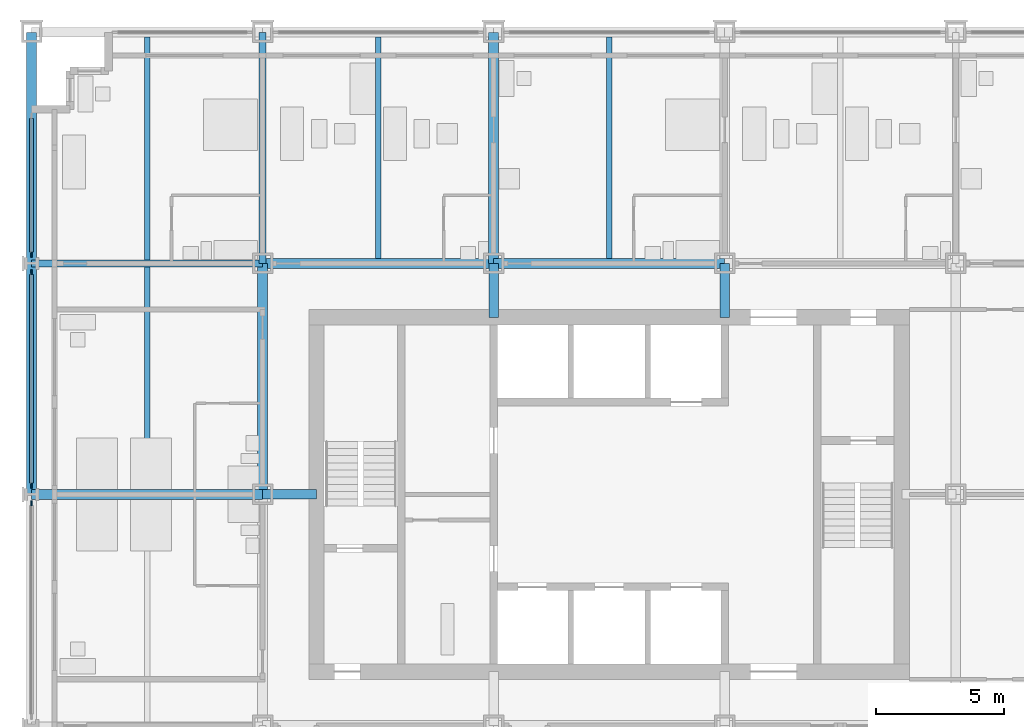
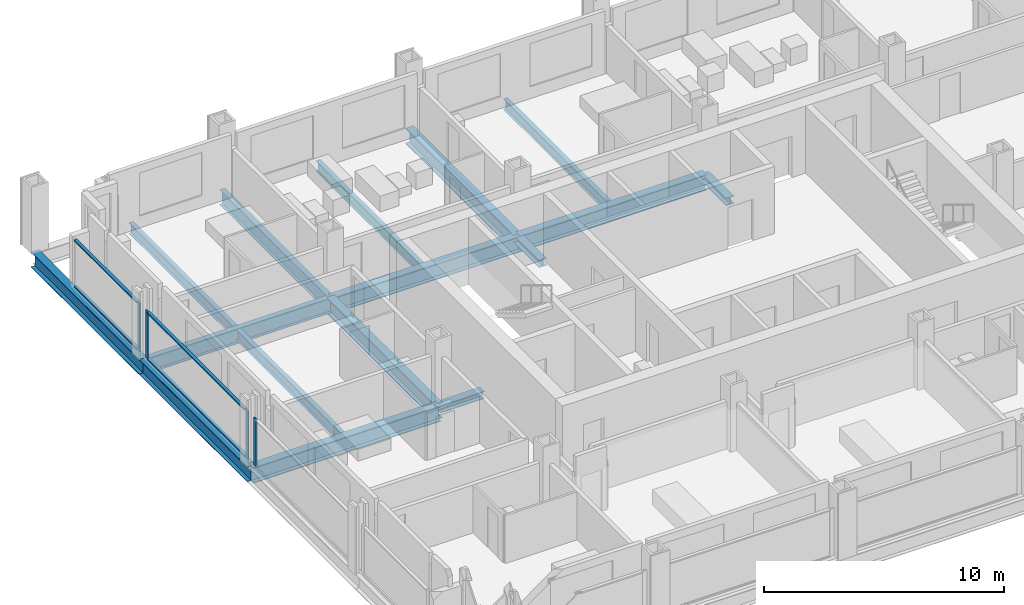
# One storey, part 4 of 18: 13 beams, 11 members, 3 elements without a shape of their own.
"""IFC4 building model written with IfcOpenShell, lengths in metres."""

from ifc_helpers import new_model, si_unit, direction, frame, origin, origin_2d, place, context, subcontext, project, spatial, rectangle, i_section, extrude, material, material_profile, profile_set, type_object, element, aggregate, save


model = new_model("IFC4")

# Units and contexts
model_context = context("Model", 3, precision=1e-05, world=origin(), true_north=direction((0.0, 1.0)))
body_context = subcontext(model_context, "Body", "Model", "MODEL_VIEW")
ifc_project = project(units=[si_unit("LENGTHUNIT", "METRE"), si_unit("AREAUNIT", "SQUARE_METRE"), si_unit("VOLUMEUNIT", "CUBIC_METRE"), si_unit("PLANEANGLEUNIT", "RADIAN"), si_unit("MASSUNIT", "GRAM", prefix="KILO")], contexts=[model_context])

# Site, building, storey
site_placement = place(None, origin())
site = spatial("IfcSite", under=ifc_project, at=site_placement, CompositionType="ELEMENT")
building_placement = place(site_placement, origin())
building = spatial("IfcBuilding", under=site, at=building_placement, Name="Loomwork Tower", CompositionType="ELEMENT")
storey_placement = place(building_placement, frame((0.0, 0.0, 28.0)))
storey = spatial("IfcBuildingStorey", under=building, at=storey_placement, Name="L05", CompositionType="ELEMENT", Elevation=28.0)

# Beams
ifc_material_1 = material(Name="Steel ASTM A992", Category="steel")
ifc_material_profile_1 = material_profile(ifc_material_1, i_section(OverallWidth=0.383544921875, OverallDepth=0.794921875, WebThickness=0.02099609375, FlangeThickness=0.0380859375, at=origin_2d()), Name="W30x235")
ifc_profile_set_1 = profile_set([ifc_material_profile_1], Name="Steel ASTM A992")
beam_type_1 = type_object("IfcBeamType", Name="CORE FLANK GIRDER W30x235", PredefinedType="BEAM", material=ifc_profile_set_1)
for number, where, z_axis, x_axis, name in (
    (1, (0.0, 18.0, -0.597412109375), (1.0, 0.0, 0.0), (0.0, 1.0, 0.0), "Core Flank Girder F/2-F/3 L05"),
    (2, (9.0, 27.0, -0.597412109375), (1.0, 0.0, 0.0), (0.0, 1.0, 0.0), "Core Flank Girder G/3-G/4 L05"),
    (3, (18.0, 27.0, -0.597412109375), (1.0, 0.0, 0.0), (0.0, 1.0, 0.0), "Core Flank Girder G/4-G/5 L05"),
    (4, (9.0, 18.0, -0.597412109375), (0.0, 1.0, 0.0), (-1.0, 0.0, 0.0), "Core Flank Girder F/3-G/3 L05"),
    (5, (18.0, 27.0, -0.597412109375), (0.0, 1.0, 0.0), (-1.0, 0.0, 0.0), "Core Flank Girder G/4-H/4 L05"),
):
    element("IfcBeam", number, at=place(storey_placement, frame(where, z_axis=z_axis, x_axis=x_axis)), inside=storey, type_object=beam_type_1, Name=name, PredefinedType="BEAM", context=body_context, shape_type="SweptSolid", body=[
        extrude(i_section(OverallWidth=0.383544921875, OverallDepth=0.794921875, WebThickness=0.02099609375, FlangeThickness=0.0380859375, at=origin_2d()), origin(), (0.0, 0.0, 1.0), 9.0),
    ])

# Members
ifc_material_2 = material(Name="Steel ASTM A992", Category="steel")
ifc_material_profile_2 = material_profile(ifc_material_2, i_section(OverallWidth=0.373291015625, OverallDepth=0.373291015625, WebThickness=0.016357421875, FlangeThickness=0.026123046875, at=origin_2d()), Name="W14x132")
ifc_profile_set_2 = profile_set([ifc_material_profile_2], Name="Steel ASTM A992")
member_type_1 = type_object("IfcMemberType", Name="CORE LINK STRUT W14x132", PredefinedType="STRUT", material=ifc_profile_set_2)
for number, where, z_axis, x_axis, name in (
    (6, (27.0, 27.0, -0.38671875), (0.0, -1.0, 0.0), (1.0, 0.0, 0.0), "Core link strut G/5-27.000,24.900 L05"),
    (7, (18.0, 27.0, -0.38671875), (0.0, -1.0, 0.0), (1.0, 0.0, 0.0), "Core link strut G/4-18.000,24.900 L05"),
    (8, (9.0, 18.0, -0.38671875), (1.0, 0.0, 0.0), (0.0, 1.0, 0.0), "Core link strut F/3-11.100,18.000 L05"),
):
    element("IfcMember", number, at=place(storey_placement, frame(where, z_axis=z_axis, x_axis=x_axis)), inside=storey, type_object=member_type_1, Name=name, PredefinedType="STRUT", context=body_context, shape_type="SweptSolid", body=[
        extrude(i_section(OverallWidth=0.373291015625, OverallDepth=0.373291015625, WebThickness=0.016357421875, FlangeThickness=0.026123046875, at=origin_2d()), origin(), (0.0, 0.0, 1.0), 2.10009765625),
    ])

# Beams
ifc_material_3 = material(Name="Steel ASTM A992", Category="steel")
ifc_material_profile_3 = material_profile(ifc_material_3, i_section(OverallWidth=0.2666015625, OverallDepth=0.761962890625, WebThickness=0.014404296875, FlangeThickness=0.021484375, at=origin_2d()), Name="W30x116")
ifc_profile_set_3 = profile_set([ifc_material_profile_3], Name="Steel ASTM A992")
beam_type_2 = type_object("IfcBeamType", Name="FLOOR GIRDER W30x116", PredefinedType="BEAM", material=ifc_profile_set_3)
for number, where, z_axis, x_axis, name in (
    (9, (0.0, 27.0, -0.5810546875), (1.0, 0.0, 0.0), (0.0, 1.0, 0.0), "Floor Girder G/2-G/3 L05"),
    (10, (9.0, 27.0, -0.5810546875), (0.0, 1.0, 0.0), (-1.0, 0.0, 0.0), "Floor Girder G/3-H/3 L05"),
):
    element("IfcBeam", number, at=place(storey_placement, frame(where, z_axis=z_axis, x_axis=x_axis)), inside=storey, type_object=beam_type_2, Name=name, PredefinedType="BEAM", context=body_context, shape_type="SweptSolid", body=[
        extrude(i_section(OverallWidth=0.2666015625, OverallDepth=0.761962890625, WebThickness=0.014404296875, FlangeThickness=0.021484375, at=origin_2d()), origin(), (0.0, 0.0, 1.0), 9.0),
    ])
ifc_material_4 = material(Name="Steel ASTM A992", Category="steel")
ifc_material_profile_4 = material_profile(ifc_material_4, i_section(OverallWidth=0.21240234375, OverallDepth=0.54345703125, WebThickness=0.01318359375, FlangeThickness=0.021240234375, at=origin_2d()), Name="W21x83")
ifc_profile_set_4 = profile_set([ifc_material_profile_4], Name="Steel ASTM A992")
beam_type_3 = type_object("IfcBeamType", Name="FLOOR JOIST W21x83", PredefinedType="JOIST", material=ifc_profile_set_4)
beam_1_placement = place(storey_placement, frame((4.5, 18.19091796875, -0.4716796875), z_axis=(0.0, 1.0, 0.0), x_axis=(-1.0, 0.0, 0.0)))
element("IfcBeam", 11, at=beam_1_placement, inside=storey, type_object=beam_type_3, Name="Floor Joist 4.500,18.000-4.500,27.000 L05", PredefinedType="JOIST", context=body_context, shape_type="SweptSolid", body=[
    extrude(i_section(OverallWidth=0.21240234375, OverallDepth=0.54345703125, WebThickness=0.01318359375, FlangeThickness=0.021240234375, at=origin_2d()), origin(), (0.0, 0.0, 1.0), 8.676025390625),
])
beam_2_placement = place(storey_placement, frame((4.5, 27.133056640625, -0.4716796875), z_axis=(0.0, 1.0, 0.0), x_axis=(-1.0, 0.0, 0.0)))
element("IfcBeam", 12, at=beam_2_placement, inside=storey, type_object=beam_type_3, Name="Floor Joist 4.500,27.000-4.500,36.000 L05", PredefinedType="JOIST", context=body_context, shape_type="SweptSolid", body=[
    extrude(i_section(OverallWidth=0.21240234375, OverallDepth=0.54345703125, WebThickness=0.01318359375, FlangeThickness=0.021240234375, at=origin_2d()), origin(), (0.0, 0.0, 1.0), 8.677001953125),
])
for number, where, z_axis, x_axis, name in (
    (13, (13.5, 27.19091796875, -0.4716796875), (0.0, 1.0, 0.0), (-1.0, 0.0, 0.0), "Floor Joist 13.500,27.000-13.500,36.000 L05"),
    (14, (22.5, 27.19091796875, -0.4716796875), (0.0, 1.0, 0.0), (-1.0, 0.0, 0.0), "Floor Joist 22.500,27.000-22.500,36.000 L05"),
):
    element("IfcBeam", number, at=place(storey_placement, frame(where, z_axis=z_axis, x_axis=x_axis)), inside=storey, type_object=beam_type_3, Name=name, PredefinedType="JOIST", context=body_context, shape_type="SweptSolid", body=[
        extrude(i_section(OverallWidth=0.21240234375, OverallDepth=0.54345703125, WebThickness=0.01318359375, FlangeThickness=0.021240234375, at=origin_2d()), origin(), (0.0, 0.0, 1.0), 8.619140625),
    ])

# Curtain wall, member
ifc_material_5 = material(Name="Aluminium curtain wall frame", Category="aluminium")
curtain_wall_type = type_object("IfcCurtainWallType", Name="Outer skin glazing hotel", PredefinedType="NOTDEFINED", material=ifc_material_5)
curtain_wall_1_placement = place(storey_placement, origin())
curtain_wall_1 = element("IfcCurtainWall", 15, at=curtain_wall_1_placement, inside=storey, type_object=curtain_wall_type, Name="Outer skin glazing hotel cw/W-9", PredefinedType="NOTDEFINED")
ifc_material_6 = material(Name="Aluminium curtain wall frame", Category="aluminium")
ifc_material_profile_5 = material_profile(ifc_material_6, rectangle(XDim=0.06494140625, YDim=0.199951171875, at=origin_2d()), Name="AL 65x200")
ifc_profile_set_5 = profile_set([ifc_material_profile_5], Name="Aluminium curtain wall frame")
member_type_2 = type_object("IfcMemberType", Name="Outer skin glazing hotel mullion", PredefinedType="MULLION", material=ifc_profile_set_5)
member_1_placement = place(storey_placement, frame((0.0, 17.6611328125, 0.0), z_axis=(0.0, 0.0, 1.0), x_axis=(1.0, 0.0, 0.0)))
member_1 = element("IfcMember", 16, at=member_1_placement, type_object=member_type_2, Name="CW1 mullion 1", PredefinedType="MULLION", context=body_context, shape_type="SweptSolid", body=[
    extrude(rectangle(XDim=0.06494140625, YDim=0.199951171875, at=origin_2d()), origin(), (0.0, 0.0, 1.0), 2.420166015625),
])
aggregate(curtain_wall_1, [member_1])

# Curtain wall, members
curtain_wall_2_placement = place(storey_placement, origin())
curtain_wall_2 = element("IfcCurtainWall", 17, at=curtain_wall_2_placement, inside=storey, type_object=curtain_wall_type, Name="Outer skin glazing hotel cw/W-18", PredefinedType="NOTDEFINED")
member_2_placement = place(storey_placement, frame((0.0, 26.6611328125, 0.0), z_axis=(0.0, 0.0, 1.0), x_axis=(1.0, 0.0, 0.0)))
member_2 = element("IfcMember", 18, at=member_2_placement, type_object=member_type_2, Name="CW1 mullion 1", PredefinedType="MULLION", context=body_context, shape_type="SweptSolid", body=[
    extrude(rectangle(XDim=0.06494140625, YDim=0.199951171875, at=origin_2d()), origin(), (0.0, 0.0, 1.0), 2.420166015625),
])
member_3_placement = place(storey_placement, frame((0.0, 18.3388671875, 0.0), z_axis=(0.0, 0.0, 1.0), x_axis=(1.0, 0.0, 0.0)))
member_3 = element("IfcMember", 19, at=member_3_placement, type_object=member_type_2, Name="CW1 mullion 2", PredefinedType="MULLION", context=body_context, shape_type="SweptSolid", body=[
    extrude(rectangle(XDim=0.06494140625, YDim=0.199951171875, at=origin_2d()), origin(), (0.0, 0.0, 1.0), 2.420166015625),
])

# Curtain wall, member
curtain_wall_3_placement = place(storey_placement, origin())
curtain_wall_3 = element("IfcCurtainWall", 20, at=curtain_wall_3_placement, inside=storey, type_object=curtain_wall_type, Name="Outer skin glazing hotel cw/W-27", PredefinedType="NOTDEFINED")
member_4_placement = place(storey_placement, frame((0.0, 27.3388671875, 0.0), z_axis=(0.0, 0.0, 1.0), x_axis=(1.0, 0.0, 0.0)))
member_4 = element("IfcMember", 21, at=member_4_placement, type_object=member_type_2, Name="CW1 mullion 2", PredefinedType="MULLION", context=body_context, shape_type="SweptSolid", body=[
    extrude(rectangle(XDim=0.06494140625, YDim=0.199951171875, at=origin_2d()), origin(), (0.0, 0.0, 1.0), 2.420166015625),
])

# Member
ifc_material_7 = material(Name="Aluminium curtain wall frame", Category="aluminium")
ifc_material_profile_6 = material_profile(ifc_material_7, rectangle(XDim=0.14990234375, YDim=0.06494140625, at=origin_2d()), Name="AL 65x150")
ifc_profile_set_6 = profile_set([ifc_material_profile_6], Name="Aluminium curtain wall frame")
member_type_3 = type_object("IfcMemberType", Name="Outer skin glazing hotel transom", PredefinedType="USERDEFINED", material=ifc_profile_set_6)
member_5_placement = place(storey_placement, frame((0.0, 26.561279296875, 0.032470703125), z_axis=(0.0, -1.0, 0.0), x_axis=(1.0, 0.0, 0.0)))
member_5 = element("IfcMember", 22, at=member_5_placement, type_object=member_type_3, Name="CW1 transom 1.1", ObjectType="TRANSOM", PredefinedType="USERDEFINED", context=body_context, shape_type="SweptSolid", body=[
    extrude(rectangle(XDim=0.14990234375, YDim=0.06494140625, at=origin_2d()), origin(), (0.0, 0.0, 1.0), 8.12255859375),
])

member_6_placement = place(storey_placement, frame((0.0, 26.561279296875, 2.3876953125), z_axis=(0.0, -1.0, 0.0), x_axis=(1.0, 0.0, 0.0)))
member_6 = element("IfcMember", 23, at=member_6_placement, type_object=member_type_3, Name="CW1 transom 1.2", ObjectType="TRANSOM", PredefinedType="USERDEFINED", context=body_context, shape_type="SweptSolid", body=[
    extrude(rectangle(XDim=0.14990234375, YDim=0.06494140625, at=origin_2d()), origin(), (0.0, 0.0, 1.0), 8.12255859375),
])

aggregate(curtain_wall_2, [member_2, member_3, member_5, member_6])

member_7_placement = place(storey_placement, frame((0.0, 32.64990234375, 0.032470703125), z_axis=(0.0, -1.0, 0.0), x_axis=(1.0, 0.0, 0.0)))
member_7 = element("IfcMember", 24, at=member_7_placement, type_object=member_type_3, Name="CW1 transom 1.1", ObjectType="TRANSOM", PredefinedType="USERDEFINED", context=body_context, shape_type="SweptSolid", body=[
    extrude(rectangle(XDim=0.14990234375, YDim=0.06494140625, at=origin_2d()), origin(), (0.0, 0.0, 1.0), 5.211181640625),
])

member_8_placement = place(storey_placement, frame((0.0, 32.64990234375, 2.3876953125), z_axis=(0.0, -1.0, 0.0), x_axis=(1.0, 0.0, 0.0)))
member_8 = element("IfcMember", 25, at=member_8_placement, type_object=member_type_3, Name="CW1 transom 1.2", ObjectType="TRANSOM", PredefinedType="USERDEFINED", context=body_context, shape_type="SweptSolid", body=[
    extrude(rectangle(XDim=0.14990234375, YDim=0.06494140625, at=origin_2d()), origin(), (0.0, 0.0, 1.0), 5.211181640625),
])

aggregate(curtain_wall_3, [member_4, member_7, member_8])

# Beams
ifc_material_8 = material(Name="Steel ASTM A992", Category="steel")
ifc_material_profile_7 = material_profile(ifc_material_8, i_section(OverallWidth=0.381103515625, OverallDepth=0.77978515625, WebThickness=0.01806640625, FlangeThickness=0.0302734375, at=origin_2d()), Name="W30x191")
ifc_profile_set_7 = profile_set([ifc_material_profile_7], Name="Steel ASTM A992")
beam_type_4 = type_object("IfcBeamType", Name="SPANDREL GIRDER W30x191", PredefinedType="SPANDREL", material=ifc_profile_set_7)
for number, where, z_axis, x_axis, name in (
    (26, (0.0, 18.0, -0.58984375), (0.0, 1.0, 0.0), (-1.0, 0.0, 0.0), "Spandrel Girder F/2-G/2 L05"),
    (27, (0.0, 27.0, -0.58984375), (0.0, 1.0, 0.0), (-1.0, 0.0, 0.0), "Spandrel Girder G/2-H/2 L05"),
):
    element("IfcBeam", number, at=place(storey_placement, frame(where, z_axis=z_axis, x_axis=x_axis)), inside=storey, type_object=beam_type_4, Name=name, PredefinedType="SPANDREL", context=body_context, shape_type="SweptSolid", body=[
        extrude(i_section(OverallWidth=0.381103515625, OverallDepth=0.77978515625, WebThickness=0.01806640625, FlangeThickness=0.0302734375, at=origin_2d()), origin(), (0.0, 0.0, 1.0), 9.0),
    ])

save(model, "model.ifc")
